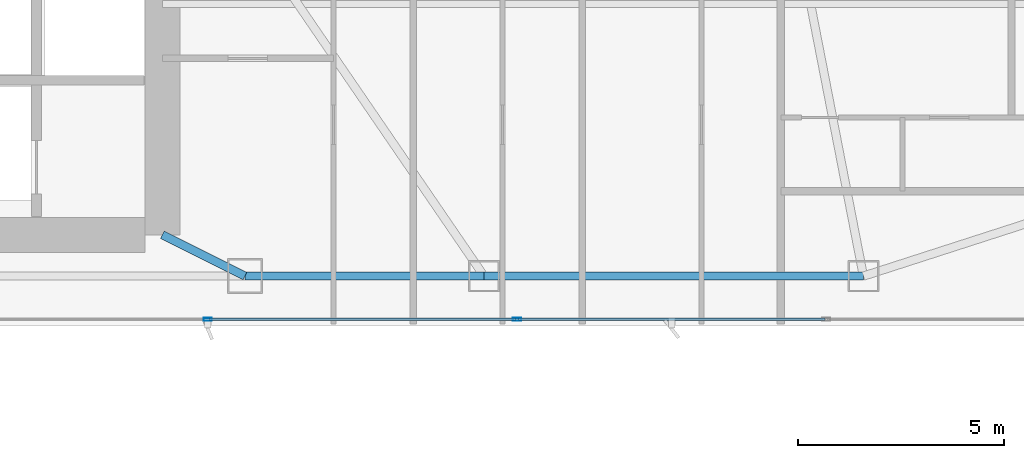
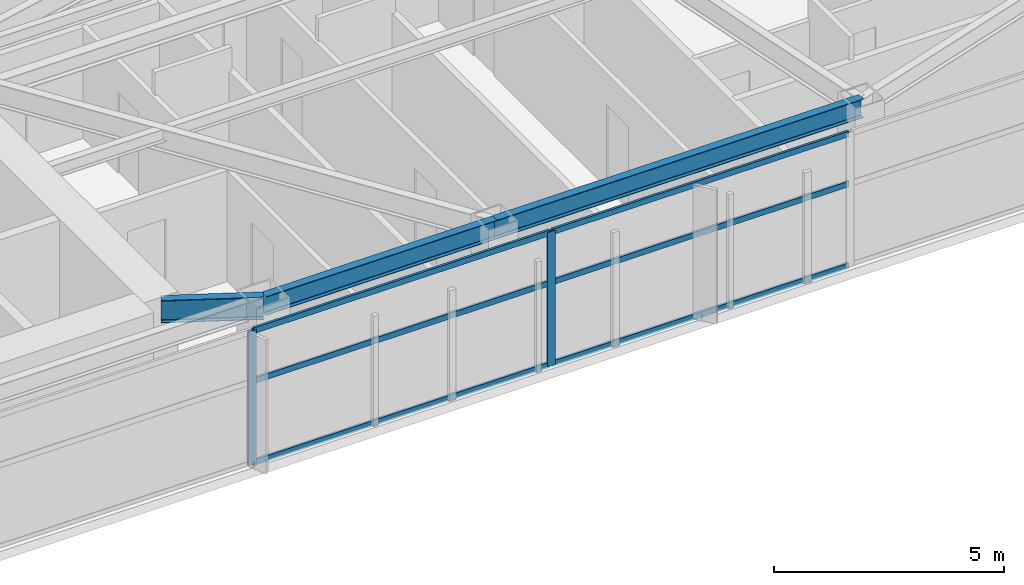
# One storey, part 12 of 29: 8 members, 3 beams, 1 element without a shape of its own.
"""IFC4 building model written with IfcOpenShell, lengths in metres."""

from ifc_helpers import new_model, si_unit, direction, frame, origin, origin_2d, place, context, subcontext, project, spatial, hollow_rectangle, i_section, extrude, material, layer, layer_set, material_profile, profile_set, type_object, element, aggregate, save


model = new_model("IFC4")

# Units and contexts
model_context = context("Model", 3, precision=1e-05, world=origin(), true_north=direction((0.0, 1.0)))
body_context = subcontext(model_context, "Body", "Model", "MODEL_VIEW")
ifc_project = project(units=[si_unit("LENGTHUNIT", "METRE"), si_unit("AREAUNIT", "SQUARE_METRE"), si_unit("VOLUMEUNIT", "CUBIC_METRE"), si_unit("PLANEANGLEUNIT", "RADIAN"), si_unit("MASSUNIT", "GRAM", prefix="KILO")], contexts=[model_context])

# Site, building, storey
site_placement = place(None, origin())
site = spatial("IfcSite", under=ifc_project, at=site_placement, CompositionType="ELEMENT")
building_placement = place(site_placement, origin())
building = spatial("IfcBuilding", under=site, at=building_placement, Name="Calvorn Quay Hotel", CompositionType="ELEMENT")
storey_placement = place(building_placement, frame((0.0, 0.0, 175.10009765625)))
storey = spatial("IfcBuildingStorey", under=building, at=storey_placement, Name="L43", CompositionType="ELEMENT", Elevation=175.10009765625)

# Beams
ifc_material_1 = material(Name="Steel Q355B", Category="steel")
ifc_material_profile_1 = material_profile(ifc_material_1, i_section(OverallWidth=0.199951171875, OverallDepth=0.60009765625, WebThickness=0.010986328125, FlangeThickness=0.01708984375, FilletRadius=0.01806640625, at=origin_2d()), Name="HN600x200x11x17")
ifc_profile_set_1 = profile_set([ifc_material_profile_1], Name="Steel Q355B")
beam_type_1 = type_object("IfcBeamType", Name="BM-GIRD-TYP", PredefinedType="BEAM", material=ifc_profile_set_1)
beam_1_placement = place(storey_placement, frame((34.39990234375, 3.60009765625, 3.239990234375), z_axis=(-0.894427191, 0.4472135955, 0.0), x_axis=(-0.4472135955, -0.894427191, 0.0)))
element("IfcBeam", 1, at=beam_1_placement, inside=storey, type_object=beam_type_1, Name="Beam BG-L43-S3", PredefinedType="BEAM", context=body_context, shape_type="SweptSolid", body=[
    extrude(i_section(OverallWidth=0.199951171875, OverallDepth=0.60009765625, WebThickness=0.010986328125, FlangeThickness=0.01708984375, FilletRadius=0.01806640625, at=origin_2d()), origin(), (0.0, 0.0, 1.0), 2.236083984375),
])
ifc_material_2 = material(Name="Steel Q355B", Category="steel")
ifc_material_profile_2 = material_profile(ifc_material_2, i_section(OverallWidth=0.199951171875, OverallDepth=0.5, WebThickness=0.010009765625, FlangeThickness=0.01611328125, FilletRadius=0.01611328125, at=origin_2d()), Name="HN500x200x10x16")
ifc_profile_set_2 = profile_set([ifc_material_profile_2], Name="Steel Q355B")
beam_type_2 = type_object("IfcBeamType", Name="BM-SPANDREL-Z1", PredefinedType="SPANDREL", material=ifc_profile_set_2)
beam_2_placement = place(storey_placement, frame((34.39990234375, 3.60009765625, 3.289794921875), z_axis=(1.0, 0.0, 0.0), x_axis=(0.0, 1.0, 0.0)))
element("IfcBeam", 2, at=beam_2_placement, inside=storey, type_object=beam_type_2, Name="Beam BSP-L43-S4", PredefinedType="SPANDREL", context=body_context, shape_type="SweptSolid", body=[
    extrude(i_section(OverallWidth=0.199951171875, OverallDepth=0.5, WebThickness=0.010009765625, FlangeThickness=0.01611328125, FilletRadius=0.01611328125, at=origin_2d()), origin(), (0.0, 0.0, 1.0), 5.800048828125),
])
beam_3_placement = place(storey_placement, frame((40.199951171875, 3.60009765625, 3.289794921875), z_axis=(1.0, 0.0, 0.0), x_axis=(0.0, 1.0, 0.0)))
element("IfcBeam", 3, at=beam_3_placement, inside=storey, type_object=beam_type_2, Name="Beam BSP-L43-S5", PredefinedType="SPANDREL", context=body_context, shape_type="SweptSolid", body=[
    extrude(i_section(OverallWidth=0.199951171875, OverallDepth=0.5, WebThickness=0.010009765625, FlangeThickness=0.01611328125, FilletRadius=0.01611328125, at=origin_2d()), origin(), (0.0, 0.0, 1.0), 9.199951171875),
])

# Curtain wall, members
ifc_material_3 = material(Name="Pale Anodised Aluminium and Low-E Glass", Category="aluminium")
ifc_layer = layer(ifc_material_3, 0.219970703125)
ifc_layer_set = layer_set([ifc_layer], Name="CW-SYS-Z2")
curtain_wall_type = type_object("IfcCurtainWallType", Name="CW-SYS-Z2", PredefinedType="NOTDEFINED", material=ifc_layer_set)
curtain_wall_placement = place(storey_placement, origin())
curtain_wall = element("IfcCurtainWall", 4, at=curtain_wall_placement, inside=storey, type_object=curtain_wall_type, Name="Tower South Waterfront Curtain Wall (L43)", PredefinedType="NOTDEFINED")
ifc_material_4 = material(Name="Pale Anodised Aluminium 6063-T6", Category="aluminium")
ifc_material_profile_3 = material_profile(ifc_material_4, hollow_rectangle(XDim=0.070068359375, YDim=0.199951171875, WallThickness=0.00390625, at=origin_2d()), Name="ALU-M200x70x4")
ifc_profile_set_3 = profile_set([ifc_material_profile_3], Name="Pale Anodised Aluminium 6063-T6")
member_type_1 = type_object("IfcMemberType", Name="CW-SYS-Z2-MUL", PredefinedType="MULLION", material=ifc_profile_set_3)
member_1_placement = place(storey_placement, frame((33.5, 2.550048828125, 0.0), z_axis=(0.0, 0.0, 1.0), x_axis=(0.0, 1.0, 0.0)))
member_1 = element("IfcMember", 5, at=member_1_placement, type_object=member_type_1, Name="CW-L43-S mullion 4", PredefinedType="MULLION", context=body_context, shape_type="SweptSolid", body=[
    extrude(hollow_rectangle(XDim=0.070068359375, YDim=0.199951171875, WallThickness=0.00390625, at=origin_2d()), origin(), (0.0, 0.0, 1.0), 3.559814453125),
])
member_2_placement = place(storey_placement, frame((41.0, 2.550048828125, 0.0), z_axis=(0.0, 0.0, 1.0), x_axis=(0.0, 1.0, 0.0)))
member_2 = element("IfcMember", 6, at=member_2_placement, type_object=member_type_1, Name="CW-L43-S mullion 5", PredefinedType="MULLION", context=body_context, shape_type="SweptSolid", body=[
    extrude(hollow_rectangle(XDim=0.070068359375, YDim=0.199951171875, WallThickness=0.00390625, at=origin_2d()), origin(), (0.0, 0.0, 1.0), 3.559814453125),
])
ifc_material_5 = material(Name="Pale Anodised Aluminium 6063-T6", Category="aluminium")
ifc_material_profile_4 = material_profile(ifc_material_5, hollow_rectangle(XDim=0.06005859375, YDim=0.14990234375, WallThickness=0.00341796875, at=origin_2d()), Name="ALU-T150x60x3.5")
ifc_profile_set_4 = profile_set([ifc_material_profile_4], Name="Pale Anodised Aluminium 6063-T6")
member_type_2 = type_object("IfcMemberType", Name="CW-SYS-Z2-TRN", PredefinedType="USERDEFINED", material=ifc_profile_set_4)
member_3_placement = place(storey_placement, frame((33.530029296875, 2.550048828125, 0.02978515625), z_axis=(1.0, 0.0, 0.0), x_axis=(0.0, 1.0, 0.0)))
member_3 = element("IfcMember", 7, at=member_3_placement, type_object=member_type_2, Name="CW-L43-S transom 4.1", ObjectType="TRANSOM", PredefinedType="USERDEFINED", context=body_context, shape_type="SweptSolid", body=[
    extrude(hollow_rectangle(XDim=0.06005859375, YDim=0.14990234375, WallThickness=0.00341796875, at=origin_2d()), origin(), (0.0, 0.0, 1.0), 7.43994140625),
])
member_4_placement = place(storey_placement, frame((33.530029296875, 2.550048828125, 2.199951171875), z_axis=(1.0, 0.0, 0.0), x_axis=(0.0, 1.0, 0.0)))
member_4 = element("IfcMember", 8, at=member_4_placement, type_object=member_type_2, Name="CW-L43-S transom 4.2", ObjectType="TRANSOM", PredefinedType="USERDEFINED", context=body_context, shape_type="SweptSolid", body=[
    extrude(hollow_rectangle(XDim=0.06005859375, YDim=0.14990234375, WallThickness=0.00341796875, at=origin_2d()), origin(), (0.0, 0.0, 1.0), 7.43994140625),
])
member_5_placement = place(storey_placement, frame((33.530029296875, 2.550048828125, 3.52978515625), z_axis=(1.0, 0.0, 0.0), x_axis=(0.0, 1.0, 0.0)))
member_5 = element("IfcMember", 9, at=member_5_placement, type_object=member_type_2, Name="CW-L43-S transom 4.3", ObjectType="TRANSOM", PredefinedType="USERDEFINED", context=body_context, shape_type="SweptSolid", body=[
    extrude(hollow_rectangle(XDim=0.06005859375, YDim=0.14990234375, WallThickness=0.00341796875, at=origin_2d()), origin(), (0.0, 0.0, 1.0), 7.43994140625),
])
member_6_placement = place(storey_placement, frame((41.030029296875, 2.550048828125, 0.02978515625), z_axis=(1.0, 0.0, 0.0), x_axis=(0.0, 1.0, 0.0)))
member_6 = element("IfcMember", 10, at=member_6_placement, type_object=member_type_2, Name="CW-L43-S transom 5.1", ObjectType="TRANSOM", PredefinedType="USERDEFINED", context=body_context, shape_type="SweptSolid", body=[
    extrude(hollow_rectangle(XDim=0.06005859375, YDim=0.14990234375, WallThickness=0.00341796875, at=origin_2d()), origin(), (0.0, 0.0, 1.0), 7.43994140625),
])
member_7_placement = place(storey_placement, frame((41.030029296875, 2.550048828125, 2.199951171875), z_axis=(1.0, 0.0, 0.0), x_axis=(0.0, 1.0, 0.0)))
member_7 = element("IfcMember", 11, at=member_7_placement, type_object=member_type_2, Name="CW-L43-S transom 5.2", ObjectType="TRANSOM", PredefinedType="USERDEFINED", context=body_context, shape_type="SweptSolid", body=[
    extrude(hollow_rectangle(XDim=0.06005859375, YDim=0.14990234375, WallThickness=0.00341796875, at=origin_2d()), origin(), (0.0, 0.0, 1.0), 7.43994140625),
])
member_8_placement = place(storey_placement, frame((41.030029296875, 2.550048828125, 3.52978515625), z_axis=(1.0, 0.0, 0.0), x_axis=(0.0, 1.0, 0.0)))
member_8 = element("IfcMember", 12, at=member_8_placement, type_object=member_type_2, Name="CW-L43-S transom 5.3", ObjectType="TRANSOM", PredefinedType="USERDEFINED", context=body_context, shape_type="SweptSolid", body=[
    extrude(hollow_rectangle(XDim=0.06005859375, YDim=0.14990234375, WallThickness=0.00341796875, at=origin_2d()), origin(), (0.0, 0.0, 1.0), 7.43994140625),
])
aggregate(curtain_wall, [member_1, member_2, member_3, member_4, member_5, member_6, member_7, member_8])

save(model, "model.ifc")
